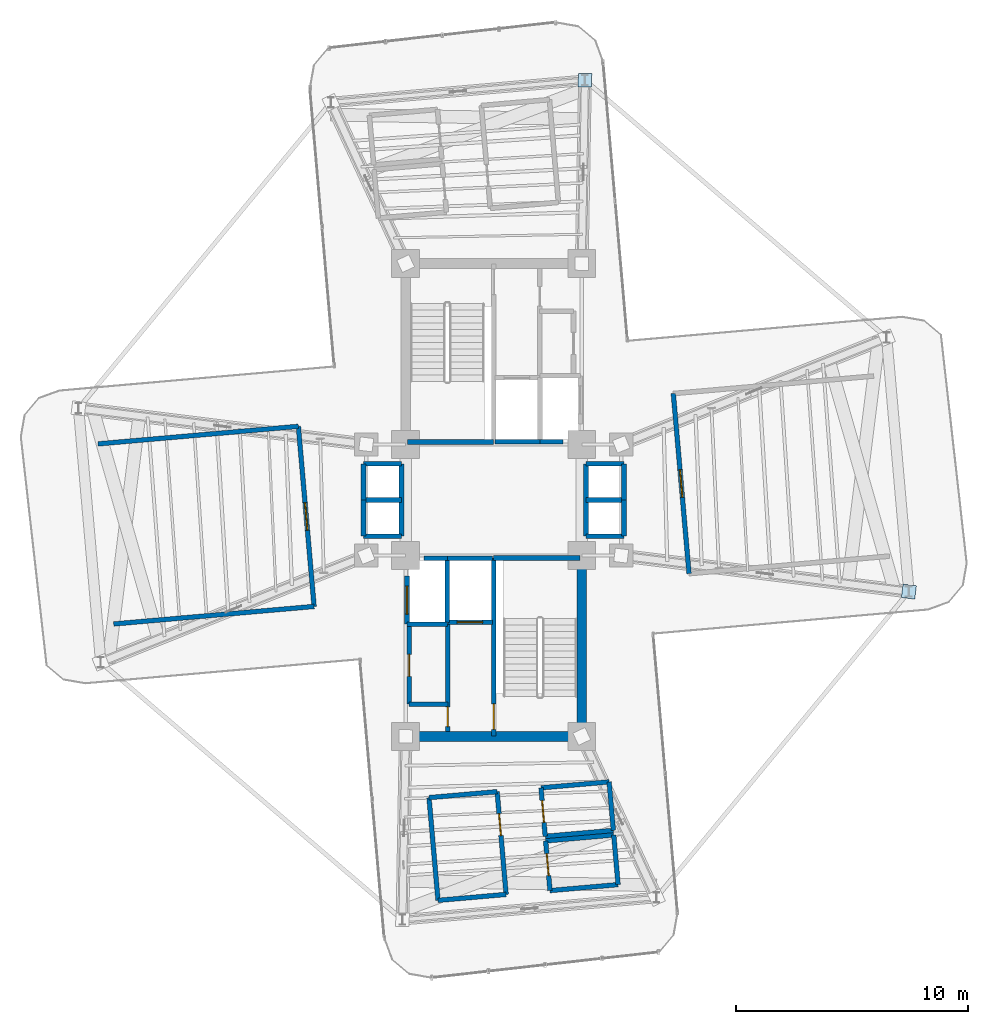
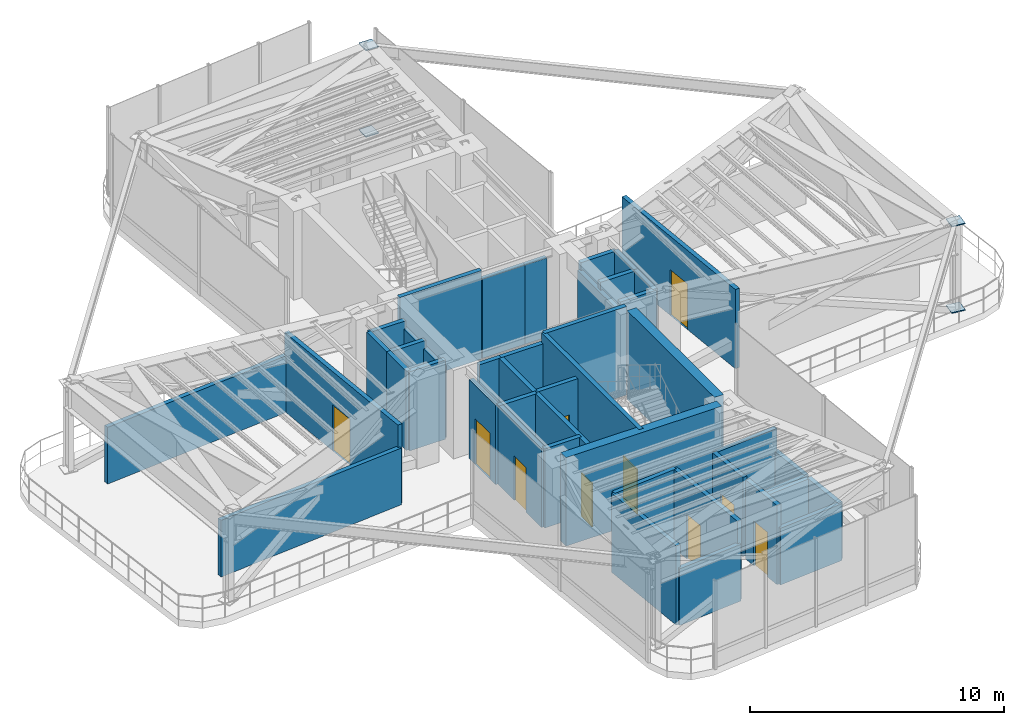
# One storey, part 14 of 17: 44 walls, 10 doors, 4 plates, 10 openings.
"""IFC4 building model written with IfcOpenShell, lengths in metres."""

from ifc_helpers import new_model, si_unit, direction, frame, frame_2d, origin, origin_2d, place, context, subcontext, project, spatial, rectangle, extrude, source, transform, mapped, material, layer, layer_set, type_object, element, fill, save


model = new_model("IFC4")

# Units and contexts
model_context = context("Model", 3, precision=1e-05, world=origin(), true_north=direction((0.0, 1.0)))
body_context = subcontext(model_context, "Body", "Model", "MODEL_VIEW")
ifc_project = project(units=[si_unit("LENGTHUNIT", "METRE"), si_unit("AREAUNIT", "SQUARE_METRE"), si_unit("VOLUMEUNIT", "CUBIC_METRE"), si_unit("PLANEANGLEUNIT", "RADIAN"), si_unit("MASSUNIT", "GRAM", prefix="KILO")], contexts=[model_context])

# Site, building, storey
site_placement = place(None, origin())
site = spatial("IfcSite", under=ifc_project, at=site_placement, CompositionType="ELEMENT")
building_placement = place(site_placement, origin())
building = spatial("IfcBuilding", under=site, at=building_placement, Name="Sahyath Konkavel Grand Hotel", CompositionType="ELEMENT")
storey_placement = place(building_placement, frame((0.0, 0.0, 202.0)))
storey = spatial("IfcBuildingStorey", under=building, at=storey_placement, Name="L56", CompositionType="ELEMENT", Elevation=202.0)

# Plates
ifc_material_1 = material(Name="Steel E450", Category="steel")
plate_type = type_object("IfcPlateType", Name="GUSSET-END-35", PredefinedType="USERDEFINED", material=ifc_material_1)
shared_shape_1 = source(origin(), body_context, "Body", "SweptSolid", [
    extrude(rectangle(XDim=0.580078125, YDim=0.580078125, at=origin_2d()), origin(), (0.0, 0.0, 1.0), 0.044921875),
])
for number, where, z_axis, x_axis, name in (
    (1, (17.912841796875, -3.953857421875, 0.027587890625), (0.0, 0.0, 1.0), (0.992256248897, -0.124207634727, 0.0), "L56 Core Outrigger Truss EA Cast-In Embed Gusset Plate BR"),
    (2, (17.912841796875, -3.953857421875, 4.1875), (0.0, 0.0, 1.0), (0.992256248897, -0.124207634727, 0.0), "L56 Core Outrigger Truss EA Cast-In Embed Gusset Plate TR"),
    (3, (3.936279296875, 18.112060546875, 0.027587890625), (0.0, 0.0, 1.0), (0.017242998444, 0.999851328451, 0.0), "L56 Core Outrigger Truss NA Cast-In Embed Gusset Plate BR"),
    (4, (3.936279296875, 18.112060546875, 4.1875), (0.0, 0.0, 1.0), (0.017242998444, 0.999851328451, 0.0), "L56 Core Outrigger Truss NA Cast-In Embed Gusset Plate TR"),
):
    element("IfcPlate", number, at=place(storey_placement, frame(where, z_axis=z_axis, x_axis=x_axis)), inside=storey, type_object=plate_type, Name=name, ObjectType="GUSSET_PLATE", PredefinedType="USERDEFINED", context=body_context, shape_type="MappedRepresentation", body=[
        mapped(shared_shape_1, transform((0.0, 0.0, 0.0), scale=1.0)),
    ])

# Walls
ifc_material_2 = material(Name="Concrete C50/60", Category="concrete")
ifc_layer_1 = layer(ifc_material_2, 0.419921875)
ifc_layer_set_1 = layer_set([ifc_layer_1], Name="Concrete C50/60")
wall_type_1 = type_object("IfcWallType", Name="CWALL-420", PredefinedType="SHEAR", material=ifc_layer_set_1)
wall_1_placement = place(storey_placement, frame((-3.550048828125, -10.199951171875, 0.0), z_axis=(0.0, 0.0, 1.0), x_axis=(1.0, 0.0, 0.0)))
element("IfcWall", 5, at=wall_1_placement, inside=storey, type_object=wall_type_1, Name="L56 South Core Shear Wall S", PredefinedType="SHEAR", context=body_context, shape_type="SweptSolid", body=[
    extrude(rectangle(XDim=7.10009765625, YDim=0.419921875, at=frame_2d((3.550048828125, 0.0))), origin(), (0.0, 0.0, 1.0), 4.260009765625),
])
wall_2_placement = place(storey_placement, frame((3.800048828125, -9.75, 0.0), z_axis=(0.0, 0.0, 1.0), x_axis=(0.0, 1.0, 0.0)))
element("IfcWall", 6, at=wall_2_placement, inside=storey, type_object=wall_type_1, Name="L56 South Core Shear Wall E", PredefinedType="SHEAR", context=body_context, shape_type="SweptSolid", body=[
    extrude(rectangle(XDim=6.89990234375, YDim=0.419921875, at=frame_2d((3.449951171875, 0.0))), origin(), (0.0, 0.0, 1.0), 4.260009765625),
])
ifc_material_3 = material(Name="Concrete C40/50", Category="concrete")
ifc_layer_2 = layer(ifc_material_3, 0.199951171875)
ifc_layer_set_2 = layer_set([ifc_layer_2], Name="Concrete C40/50")
wall_type_2 = type_object("IfcWallType", Name="WLL-CORE-200", PredefinedType="SOLIDWALL", material=ifc_layer_set_2)
wall_3_placement = place(storey_placement, frame((-3.719970703125, 2.5, 0.0), z_axis=(0.0, 0.0, 1.0), x_axis=(1.0, 0.0, 0.0)))
element("IfcWall", 7, at=wall_3_placement, inside=storey, type_object=wall_type_2, Name="L56 Stair ST-1 Shaft Wall S", PredefinedType="SOLIDWALL", context=body_context, shape_type="SweptSolid", body=[
    extrude(rectangle(XDim=3.719970703125, YDim=0.199951171875, at=frame_2d((1.85986328125, 0.0))), origin(), (0.0, 0.0, 1.0), 4.260009765625),
])

# Wall, opening, door
wall_4_placement = place(storey_placement, frame((0.0, -10.179931640625, 0.0), z_axis=(0.0, 0.0, 1.0), x_axis=(0.0, 1.0, 0.0)))
wall_4 = element("IfcWall", 8, at=wall_4_placement, inside=storey, type_object=wall_type_2, Name="L56 Stair ST-2 Shaft Wall W", PredefinedType="SOLIDWALL", context=body_context, shape_type="SweptSolid", body=[
    extrude(rectangle(XDim=7.679931640625, YDim=0.199951171875, at=frame_2d((3.83984375, 0.0))), origin(), (0.0, 0.0, 1.0), 4.260009765625),
])
opening_1_placement = place(wall_4_placement, frame((0.280029296875, 0.0, 0.0)))
opening_1 = element("IfcOpeningElement", 9, at=opening_1_placement, cuts=wall_4, Name="Opening D-F12B", PredefinedType="OPENING", context=body_context, shape_type="SweptSolid", body=[
    extrude(rectangle(XDim=1.10009765625, YDim=2.14990234375, at=frame_2d((0.550048828125, 1.074951171875))), frame((0.0, 0.10986328125, 0.0), z_axis=(0.0, -1.0, 0.0), x_axis=(1.0, 0.0, 0.0)), (0.0, 0.0, 1.0), 0.219970703125),
])
ifc_material_4 = material(Name="Steel E350 Smokeproof Fire Door", Category="steel")
door_type_1 = type_object("IfcDoorType", Name="DR-FD120-1100", OperationType="NOTDEFINED", PredefinedType="DOOR", material=ifc_material_4)
shared_shape_2 = source(origin(), body_context, "Body", "SweptSolid", [
    extrude(rectangle(XDim=1.10009765625, YDim=0.050048828125, at=origin_2d()), origin(), (0.0, 0.0, 1.0), 2.14990234375),
])
door_1_placement = place(opening_1_placement, frame((0.550048828125, 0.0, 0.0)))
door_1 = element("IfcDoor", 10, at=door_1_placement, inside=storey, type_object=door_type_1, Name="L56 Stair ST-2 Fire Door", OperationType="SINGLE_SWING_LEFT", OverallHeight=2.14990234375, OverallWidth=1.10009765625, PredefinedType="DOOR", context=body_context, shape_type="MappedRepresentation", body=[
    mapped(shared_shape_2, transform((0.0, 0.0, 0.0), scale=1.0)),
])
fill(opening_1, door_1)

# Wall
wall_5_placement = place(storey_placement, frame((0.0, -2.5, 0.0), z_axis=(0.0, 0.0, 1.0), x_axis=(1.0, 0.0, 0.0)))
element("IfcWall", 11, at=wall_5_placement, inside=storey, type_object=wall_type_2, Name="L56 Stair ST-2 Shaft Wall N", PredefinedType="SOLIDWALL", context=body_context, shape_type="SweptSolid", body=[
    extrude(rectangle(XDim=3.719970703125, YDim=0.199951171875, at=frame_2d((1.85986328125, 0.0))), origin(), (0.0, 0.0, 1.0), 4.260009765625),
])

# Wall, opening, door
wall_6_placement = place(storey_placement, frame((-1.97998046875, -9.97998046875, 0.0), z_axis=(0.0, 0.0, 1.0), x_axis=(0.0, 1.0, 0.0)))
wall_6 = element("IfcWall", 12, at=wall_6_placement, inside=storey, type_object=wall_type_2, Name="L56 South Firefighting Lobby Wall W", PredefinedType="SOLIDWALL", context=body_context, shape_type="SweptSolid", body=[
    extrude(rectangle(XDim=4.659912109375, YDim=0.199951171875, at=frame_2d((2.330078125, 0.0))), origin(), (0.0, 0.0, 1.0), 3.81005859375),
])
opening_2_placement = place(wall_6_placement, frame((0.199951171875, 0.0, 0.0)))
opening_2 = element("IfcOpeningElement", 13, at=opening_2_placement, cuts=wall_6, Name="Opening D-F12D", PredefinedType="OPENING", context=body_context, shape_type="SweptSolid", body=[
    extrude(rectangle(XDim=0.85009765625, YDim=2.10009765625, at=frame_2d((0.425048828125, 1.050048828125))), frame((0.0, 0.10986328125, 0.0), z_axis=(0.0, -1.0, 0.0), x_axis=(1.0, 0.0, 0.0)), (0.0, 0.0, 1.0), 0.219970703125),
])
ifc_material_5 = material(Name="Steel E350 Core Fire Door", Category="steel")
door_type_2 = type_object("IfcDoorType", Name="DR-FD120-850", OperationType="NOTDEFINED", PredefinedType="DOOR", material=ifc_material_5)
shared_shape_3 = source(origin(), body_context, "Body", "SweptSolid", [
    extrude(rectangle(XDim=0.85009765625, YDim=0.050048828125, at=origin_2d()), origin(), (0.0, 0.0, 1.0), 2.10009765625),
])
door_2_placement = place(opening_2_placement, frame((0.425048828125, 0.0, 0.0)))
door_2 = element("IfcDoor", 14, at=door_2_placement, inside=storey, type_object=door_type_2, Name="L56 South Firefighting Lobby Door", OperationType="SINGLE_SWING_LEFT", OverallHeight=2.10009765625, OverallWidth=0.85009765625, PredefinedType="DOOR", context=body_context, shape_type="MappedRepresentation", body=[
    mapped(shared_shape_3, transform((0.0, 0.0, 0.0), scale=1.0)),
])
fill(opening_2, door_2)

# Walls
wall_7_placement = place(storey_placement, frame((0.050048828125, 2.52001953125, 0.0), z_axis=(0.0, 0.0, 1.0), x_axis=(1.0, 0.0, 0.0)))
element("IfcWall", 15, at=wall_7_placement, inside=storey, type_object=wall_type_2, Name="L56 Partition SH-FFL1-S", PredefinedType="SOLIDWALL", context=body_context, shape_type="SweptSolid", body=[
    extrude(rectangle(XDim=1.949951171875, YDim=0.199951171875, at=frame_2d((0.97509765625, 0.0))), origin(), (0.0, 0.0, 1.0), 3.81005859375),
])
wall_8_placement = place(storey_placement, frame((-2.0, -5.280029296875, 0.0), z_axis=(0.0, 0.0, 1.0), x_axis=(0.0, 1.0, 0.0)))
element("IfcWall", 16, at=wall_8_placement, inside=storey, type_object=wall_type_2, Name="L56 Partition SH-FFL2-W", PredefinedType="SOLIDWALL", context=body_context, shape_type="SweptSolid", body=[
    extrude(rectangle(XDim=2.780029296875, YDim=0.199951171875, at=frame_2d((1.39013671875, 0.0))), origin(), (0.0, 0.0, 1.0), 3.81005859375),
])
wall_9_placement = place(storey_placement, frame((-2.0, -2.52001953125, 0.0), z_axis=(0.0, 0.0, 1.0), x_axis=(1.0, 0.0, 0.0)))
element("IfcWall", 17, at=wall_9_placement, inside=storey, type_object=wall_type_2, Name="L56 Partition SH-FFL2-N", PredefinedType="SOLIDWALL", context=body_context, shape_type="SweptSolid", body=[
    extrude(rectangle(XDim=1.949951171875, YDim=0.199951171875, at=frame_2d((0.97509765625, 0.0))), origin(), (0.0, 0.0, 1.0), 3.81005859375),
])

# Wall, opening, door
wall_10_placement = place(storey_placement, frame((-1.97998046875, -5.280029296875, 0.0), z_axis=(0.0, 0.0, 1.0), x_axis=(1.0, 0.0, 0.0)))
wall_10 = element("IfcWall", 18, at=wall_10_placement, inside=storey, type_object=wall_type_2, Name="L56 Partition SH-FFL2-S", PredefinedType="SOLIDWALL", context=body_context, shape_type="SweptSolid", body=[
    extrude(rectangle(XDim=1.929931640625, YDim=0.199951171875, at=frame_2d((0.96484375, 0.0))), origin(), (0.0, 0.0, 1.0), 3.81005859375),
])
opening_3_placement = place(wall_10_placement, frame((0.39990234375, 0.0, 0.0)))
opening_3 = element("IfcOpeningElement", 19, at=opening_3_placement, cuts=wall_10, Name="Opening LD-11", PredefinedType="OPENING", context=body_context, shape_type="SweptSolid", body=[
    extrude(rectangle(XDim=1.10009765625, YDim=2.199951171875, at=frame_2d((0.550048828125, 1.10009765625))), frame((0.0, 0.10986328125, 0.0), z_axis=(0.0, -1.0, 0.0), x_axis=(1.0, 0.0, 0.0)), (0.0, 0.0, 1.0), 0.219970703125),
])
ifc_material_6 = material(Name="Bronze Lift Landing Door 1100")
door_type_3 = type_object("IfcDoorType", Name="DR-LIFT-1100", OperationType="DOUBLE_DOOR_SLIDING", PredefinedType="DOOR", material=ifc_material_6)
shared_shape_4 = source(origin(), body_context, "Body", "SweptSolid", [
    extrude(rectangle(XDim=1.10009765625, YDim=0.050048828125, at=origin_2d()), origin(), (0.0, 0.0, 1.0), 2.199951171875),
])
door_3_placement = place(opening_3_placement, frame((0.550048828125, 0.0, 0.0)))
door_3 = element("IfcDoor", 20, at=door_3_placement, inside=storey, type_object=door_type_3, Name="L56 Lift FFL-2 Landing Door", OperationType="DOUBLE_DOOR_SLIDING", OverallHeight=2.199951171875, OverallWidth=1.10009765625, PredefinedType="DOOR", context=body_context, shape_type="MappedRepresentation", body=[
    mapped(shared_shape_4, transform((0.0, 0.0, 0.0), scale=1.0)),
])
fill(opening_3, door_3)

# Walls
for number, where, z_axis, x_axis, name in (
    (21, (2.0, 2.52001953125, 0.0), (0.0, 0.0, 1.0), (1.0, 0.0, 0.0), "L56 Partition SH-SVL1-S"),
    (22, (-3.0, -2.52001953125, 0.0), (0.0, 0.0, 1.0), (1.0, 0.0, 0.0), "L56 Partition SH-SVL2-N"),
):
    element("IfcWall", number, at=place(storey_placement, frame(where, z_axis=z_axis, x_axis=x_axis)), inside=storey, type_object=wall_type_2, Name=name, PredefinedType="SOLIDWALL", context=body_context, shape_type="SweptSolid", body=[
        extrude(rectangle(XDim=1.0, YDim=0.199951171875, at=frame_2d((0.5, 0.0))), origin(), (0.0, 0.0, 1.0), 3.81005859375),
    ])
wall_11_placement = place(storey_placement, frame((-3.739990234375, -5.360107421875, 0.0), z_axis=(0.0, 0.0, 1.0), x_axis=(1.0, 0.0, 0.0)))
element("IfcWall", 23, at=wall_11_placement, inside=storey, type_object=wall_type_2, Name="L56 Partition SH-SVL2-S", PredefinedType="SOLIDWALL", context=body_context, shape_type="SweptSolid", body=[
    extrude(rectangle(XDim=1.739990234375, YDim=0.199951171875, at=frame_2d((0.8701171875, 0.0))), origin(), (0.0, 0.0, 1.0), 3.81005859375),
])

# Wall, opening, door
wall_12_placement = place(storey_placement, frame((-3.739990234375, -5.360107421875, 0.0), z_axis=(0.0, 0.0, 1.0), x_axis=(0.0, 1.0, 0.0)))
wall_12 = element("IfcWall", 24, at=wall_12_placement, inside=storey, type_object=wall_type_2, Name="L56 Partition SH-SVL2-W", PredefinedType="SOLIDWALL", context=body_context, shape_type="SweptSolid", body=[
    extrude(rectangle(XDim=2.080078125, YDim=0.199951171875, at=frame_2d((1.0400390625, 0.0))), origin(), (0.0, 0.0, 1.0), 3.81005859375),
])
opening_4_placement = place(wall_12_placement, frame((0.43994140625, 0.0, 0.0)))
opening_4 = element("IfcOpeningElement", 25, at=opening_4_placement, cuts=wall_12, Name="Opening LD-12", PredefinedType="OPENING", context=body_context, shape_type="SweptSolid", body=[
    extrude(rectangle(XDim=1.199951171875, YDim=2.199951171875, at=frame_2d((0.60009765625, 1.10009765625))), frame((0.0, 0.10986328125, 0.0), z_axis=(0.0, -1.0, 0.0), x_axis=(1.0, 0.0, 0.0)), (0.0, 0.0, 1.0), 0.219970703125),
])
ifc_material_7 = material(Name="Stainless Steel Lift Landing Door 1200", Category="steel")
door_type_4 = type_object("IfcDoorType", Name="DR-LIFT-1200", OperationType="DOUBLE_DOOR_SLIDING", PredefinedType="DOOR", material=ifc_material_7)
shared_shape_5 = source(origin(), body_context, "Body", "SweptSolid", [
    extrude(rectangle(XDim=1.199951171875, YDim=0.050048828125, at=origin_2d()), origin(), (0.0, 0.0, 1.0), 2.199951171875),
])
door_4_placement = place(opening_4_placement, frame((0.60009765625, 0.0, 0.0)))
door_4 = element("IfcDoor", 26, at=door_4_placement, inside=storey, type_object=door_type_4, Name="L56 Service Lift SVL-2 Landing Door", OperationType="DOUBLE_DOOR_SLIDING", OverallHeight=2.199951171875, OverallWidth=1.199951171875, PredefinedType="DOOR", context=body_context, shape_type="MappedRepresentation", body=[
    mapped(shared_shape_5, transform((0.0, 0.0, 0.0), scale=1.0)),
])
fill(opening_4, door_4)

# Walls
wall_13_placement = place(storey_placement, frame((3.97998046875, -1.56005859375, 0.0), z_axis=(0.0, 0.0, 1.0), x_axis=(0.0, 1.0, 0.0)))
element("IfcWall", 27, at=wall_13_placement, inside=storey, type_object=wall_type_2, Name="L56 Partition SH-PL56-W", PredefinedType="SOLIDWALL", context=body_context, shape_type="SweptSolid", body=[
    extrude(rectangle(XDim=3.1201171875, YDim=0.199951171875, at=frame_2d((1.56005859375, 0.0))), origin(), (0.0, 0.0, 1.0), 3.429931640625),
])
for number, where, z_axis, x_axis, name in (
    (28, (3.97998046875, 1.56005859375, 0.0), (0.0, 0.0, 1.0), (1.0, 0.0, 0.0), "L56 Partition SH-PL56-N"),
    (29, (3.97998046875, -1.56005859375, 0.0), (0.0, 0.0, 1.0), (1.0, 0.0, 0.0), "L56 Partition SH-PL56-S"),
    (30, (3.97998046875, 0.0, 0.0), (0.0, 0.0, 1.0), (1.0, 0.0, 0.0), "L56 Partition SH-PL56-M"),
):
    element("IfcWall", number, at=place(storey_placement, frame(where, z_axis=z_axis, x_axis=x_axis)), inside=storey, type_object=wall_type_2, Name=name, PredefinedType="SOLIDWALL", context=body_context, shape_type="SweptSolid", body=[
        extrude(rectangle(XDim=1.64013671875, YDim=0.199951171875, at=frame_2d((0.820068359375, 0.0))), origin(), (0.0, 0.0, 1.0), 3.81005859375),
    ])
for number, where, z_axis, x_axis, name in (
    (31, (5.6201171875, 0.0, 0.0), (0.0, 0.0, 1.0), (0.0, 1.0, 0.0), "L56 Partition SH-PL5-E"),
    (32, (5.6201171875, -1.56005859375, 0.0), (0.0, 0.0, 1.0), (0.0, 1.0, 0.0), "L56 Partition SH-PL6-E"),
):
    element("IfcWall", number, at=place(storey_placement, frame(where, z_axis=z_axis, x_axis=x_axis)), inside=storey, type_object=wall_type_2, Name=name, PredefinedType="SOLIDWALL", context=body_context, shape_type="SweptSolid", body=[
        extrude(rectangle(XDim=1.56005859375, YDim=0.199951171875, at=frame_2d((0.780029296875, 0.0))), origin(), (0.0, 0.0, 1.0), 3.81005859375),
    ])
wall_14_placement = place(storey_placement, frame((-3.97998046875, -1.56005859375, 0.0), z_axis=(0.0, 0.0, 1.0), x_axis=(0.0, 1.0, 0.0)))
element("IfcWall", 33, at=wall_14_placement, inside=storey, type_object=wall_type_2, Name="L56 Partition SH-SL12-E", PredefinedType="SOLIDWALL", context=body_context, shape_type="SweptSolid", body=[
    extrude(rectangle(XDim=3.1201171875, YDim=0.199951171875, at=frame_2d((1.56005859375, 0.0))), origin(), (0.0, 0.0, 1.0), 3.429931640625),
])
for number, where, z_axis, x_axis, name in (
    (34, (-5.6201171875, 1.56005859375, 0.0), (0.0, 0.0, 1.0), (1.0, 0.0, 0.0), "L56 Partition SH-SL12-N"),
    (35, (-5.6201171875, -1.56005859375, 0.0), (0.0, 0.0, 1.0), (1.0, 0.0, 0.0), "L56 Partition SH-SL12-S"),
    (36, (-5.6201171875, 0.0, 0.0), (0.0, 0.0, 1.0), (1.0, 0.0, 0.0), "L56 Partition SH-SL12-M"),
):
    element("IfcWall", number, at=place(storey_placement, frame(where, z_axis=z_axis, x_axis=x_axis)), inside=storey, type_object=wall_type_2, Name=name, PredefinedType="SOLIDWALL", context=body_context, shape_type="SweptSolid", body=[
        extrude(rectangle(XDim=1.64013671875, YDim=0.199951171875, at=frame_2d((0.820068359375, 0.0))), origin(), (0.0, 0.0, 1.0), 3.81005859375),
    ])
for number, where, z_axis, x_axis, name in (
    (37, (-5.6201171875, 0.0, 0.0), (0.0, 0.0, 1.0), (0.0, 1.0, 0.0), "L56 Partition SH-SL1-W"),
    (38, (-5.6201171875, -1.56005859375, 0.0), (0.0, 0.0, 1.0), (0.0, 1.0, 0.0), "L56 Partition SH-SL2-W"),
):
    element("IfcWall", number, at=place(storey_placement, frame(where, z_axis=z_axis, x_axis=x_axis)), inside=storey, type_object=wall_type_2, Name=name, PredefinedType="SOLIDWALL", context=body_context, shape_type="SweptSolid", body=[
        extrude(rectangle(XDim=1.56005859375, YDim=0.199951171875, at=frame_2d((0.780029296875, 0.0))), origin(), (0.0, 0.0, 1.0), 3.81005859375),
    ])

# Wall, opening, door
wall_15_placement = place(storey_placement, frame((-3.64990234375, -8.81005859375, 0.0), z_axis=(0.0, 0.0, 1.0), x_axis=(0.0, 1.0, 0.0)))
wall_15 = element("IfcWall", 39, at=wall_15_placement, inside=storey, type_object=wall_type_2, Name="L56 Reclaimed South Core Wall W", PredefinedType="SOLIDWALL", context=body_context, shape_type="SweptSolid", body=[
    extrude(rectangle(XDim=3.43017578125, YDim=0.199951171875, at=frame_2d((1.715087890625, 0.0))), origin(), (0.0, 0.0, 1.0), 3.81005859375),
])
opening_5_placement = place(wall_15_placement, frame((1.199951171875, 0.0, 0.0)))
opening_5 = element("IfcOpeningElement", 40, at=opening_5_placement, cuts=wall_15, Name="Opening D-AC95", PredefinedType="OPENING", context=body_context, shape_type="SweptSolid", body=[
    extrude(rectangle(XDim=0.949951171875, YDim=2.14990234375, at=frame_2d((0.47509765625, 1.074951171875))), frame((0.0, 0.10986328125, 0.0), z_axis=(0.0, -1.0, 0.0), x_axis=(1.0, 0.0, 0.0)), (0.0, 0.0, 1.0), 0.219970703125),
])
ifc_material_8 = material(Name="Accessible Washroom Timber Door", Category="wood")
door_type_5 = type_object("IfcDoorType", Name="DR-ACC-950", OperationType="NOTDEFINED", PredefinedType="DOOR", material=ifc_material_8)
shared_shape_6 = source(origin(), body_context, "Body", "SweptSolid", [
    extrude(rectangle(XDim=0.949951171875, YDim=0.050048828125, at=origin_2d()), origin(), (0.0, 0.0, 1.0), 2.14990234375),
])
door_5_placement = place(opening_5_placement, frame((0.47509765625, 0.0, 0.0)))
door_5 = element("IfcDoor", 41, at=door_5_placement, inside=storey, type_object=door_type_5, Name="L56 Door SC-REC1-D", OperationType="SINGLE_SWING_LEFT", OverallHeight=2.14990234375, OverallWidth=0.949951171875, PredefinedType="DOOR", context=body_context, shape_type="MappedRepresentation", body=[
    mapped(shared_shape_6, transform((0.0, 0.0, 0.0), scale=1.0)),
])
fill(opening_5, door_5)

# Wall
wall_16_placement = place(storey_placement, frame((-3.64990234375, -8.81005859375, 0.0), z_axis=(0.0, 0.0, 1.0), x_axis=(1.0, 0.0, 0.0)))
element("IfcWall", 42, at=wall_16_placement, inside=storey, type_object=wall_type_2, Name="L56 Partition SC-REC-S", PredefinedType="SOLIDWALL", context=body_context, shape_type="SweptSolid", body=[
    extrude(rectangle(XDim=1.669921875, YDim=0.199951171875, at=frame_2d((0.8349609375, 0.0))), origin(), (0.0, 0.0, 1.0), 3.81005859375),
])

# Wall, opening, door
wall_17_placement = place(storey_placement, frame((8.428955078125, -3.177490234375, 0.0), z_axis=(0.0, 0.0, 1.0), x_axis=(-0.087137441767, 0.996196299051, 0.0)))
wall_17 = element("IfcWall", 43, at=wall_17_placement, inside=storey, type_object=wall_type_2, Name="L56 Partition REF-E-IN", PredefinedType="SOLIDWALL", context=body_context, shape_type="SweptSolid", body=[
    extrude(rectangle(XDim=7.80029296875, YDim=0.199951171875, at=frame_2d((3.900146484375, 0.0))), origin(), (0.0, 0.0, 1.0), 3.81005859375),
])
opening_6_placement = place(wall_17_placement, frame((3.300048828125, 0.0, 0.0)))
opening_6 = element("IfcOpeningElement", 44, at=opening_6_placement, cuts=wall_17, Name="Opening D-F12A", PredefinedType="OPENING", context=body_context, shape_type="SweptSolid", body=[
    extrude(rectangle(XDim=1.199951171875, YDim=2.199951171875, at=frame_2d((0.60009765625, 1.10009765625))), frame((0.0, 0.10986328125, 0.0), z_axis=(0.0, -1.0, 0.0), x_axis=(1.0, 0.0, 0.0)), (0.0, 0.0, 1.0), 0.219970703125),
])
ifc_material_9 = material(Name="Steel E350 Fire Door", Category="steel")
door_type_6 = type_object("IfcDoorType", Name="DR-FD120-1200", OperationType="NOTDEFINED", PredefinedType="DOOR", material=ifc_material_9)
door_6_placement = place(opening_6_placement, frame((0.60009765625, 0.0, 0.0)))
door_6 = element("IfcDoor", 45, at=door_6_placement, inside=storey, type_object=door_type_6, Name="L56 Door REF-E-D", OperationType="SINGLE_SWING_RIGHT", OverallHeight=2.199951171875, OverallWidth=1.199951171875, PredefinedType="DOOR", context=body_context, shape_type="MappedRepresentation", body=[
    mapped(shared_shape_5, transform((0.0, 0.0, 0.0), scale=1.0)),
])
fill(opening_6, door_6)

wall_18_placement = place(storey_placement, frame((-8.428955078125, 3.177490234375, 0.0), z_axis=(0.0, 0.0, 1.0), x_axis=(0.087137441767, -0.996196299051, 0.0)))
wall_18 = element("IfcWall", 46, at=wall_18_placement, inside=storey, type_object=wall_type_2, Name="L56 Partition REF-W-IN", PredefinedType="SOLIDWALL", context=body_context, shape_type="SweptSolid", body=[
    extrude(rectangle(XDim=7.80029296875, YDim=0.199951171875, at=frame_2d((3.900146484375, 0.0))), origin(), (0.0, 0.0, 1.0), 3.81005859375),
])
opening_7_placement = place(wall_18_placement, frame((3.300048828125, 0.0, 0.0)))
opening_7 = element("IfcOpeningElement", 47, at=opening_7_placement, cuts=wall_18, Name="Opening D-F12A", PredefinedType="OPENING", context=body_context, shape_type="SweptSolid", body=[
    extrude(rectangle(XDim=1.199951171875, YDim=2.199951171875, at=frame_2d((0.60009765625, 1.10009765625))), frame((0.0, 0.10986328125, 0.0), z_axis=(0.0, -1.0, 0.0), x_axis=(1.0, 0.0, 0.0)), (0.0, 0.0, 1.0), 0.219970703125),
])
door_7_placement = place(opening_7_placement, frame((0.60009765625, 0.0, 0.0)))
door_7 = element("IfcDoor", 48, at=door_7_placement, inside=storey, type_object=door_type_6, Name="L56 Door REF-W-D", OperationType="SINGLE_SWING_LEFT", OverallHeight=2.199951171875, OverallWidth=1.199951171875, PredefinedType="DOOR", context=body_context, shape_type="MappedRepresentation", body=[
    mapped(shared_shape_5, transform((0.0, 0.0, 0.0), scale=1.0)),
])
fill(opening_7, door_7)

# Walls
for number, where, z_axis, x_axis, name in (
    (49, (-7.749267578125, -4.593017578125, 0.0), (0.0, 0.0, 1.0), (-0.996196342623, -0.087136943629, 0.0), "L56 Partition REF-W-N"),
    (50, (-8.428955078125, 3.177490234375, 0.0), (0.0, 0.0, 1.0), (-0.996193900673, -0.087164856801, 0.0), "L56 Partition REF-W-S"),
):
    element("IfcWall", number, at=place(storey_placement, frame(where, z_axis=z_axis, x_axis=x_axis)), inside=storey, type_object=wall_type_2, Name=name, PredefinedType="SOLIDWALL", context=body_context, shape_type="SweptSolid", body=[
        extrude(rectangle(XDim=8.679931640625, YDim=0.199951171875, at=frame_2d((4.33984375, 0.0))), origin(), (0.0, 0.0, 1.0), 2.72998046875),
    ])

# Wall, opening, door
wall_19_placement = place(storey_placement, frame((2.040283203125, -12.41943359375, 0.0), z_axis=(0.0, 0.0, 1.0), x_axis=(0.08707609357, -0.996201663283, 0.0)))
wall_19 = element("IfcWall", 51, at=wall_19_placement, inside=storey, type_object=wall_type_2, Name="L56 Partition PL-CHL-C", PredefinedType="SOLIDWALL", context=body_context, shape_type="SweptSolid", body=[
    extrude(rectangle(XDim=2.10009765625, YDim=0.199951171875, at=frame_2d((1.050048828125, 0.0))), origin(), (0.0, 0.0, 1.0), 3.81005859375),
])
opening_8_placement = place(wall_19_placement, frame((0.550048828125, 0.0, 0.0)))
opening_8 = element("IfcOpeningElement", 52, at=opening_8_placement, cuts=wall_19, Name="Opening D-F12C", PredefinedType="OPENING", context=body_context, shape_type="SweptSolid", body=[
    extrude(rectangle(XDim=0.949951171875, YDim=2.14990234375, at=frame_2d((0.47509765625, 1.074951171875))), frame((0.0, 0.10986328125, 0.0), z_axis=(0.0, -1.0, 0.0), x_axis=(1.0, 0.0, 0.0)), (0.0, 0.0, 1.0), 0.219970703125),
])
ifc_material_10 = material(Name="Steel E350 Plant Fire Door", Category="steel")
door_type_7 = type_object("IfcDoorType", Name="DR-FD120-950", OperationType="NOTDEFINED", PredefinedType="DOOR", material=ifc_material_10)
door_8_placement = place(opening_8_placement, frame((0.47509765625, 0.0, 0.0)))
door_8 = element("IfcDoor", 53, at=door_8_placement, inside=storey, type_object=door_type_7, Name="L56 Door PL-CHL-D", OperationType="SINGLE_SWING_RIGHT", OverallHeight=2.14990234375, OverallWidth=0.949951171875, PredefinedType="DOOR", context=body_context, shape_type="MappedRepresentation", body=[
    mapped(shared_shape_6, transform((0.0, 0.0, 0.0), scale=1.0)),
])
fill(opening_8, door_8)

# Walls
wall_20_placement = place(storey_placement, frame((4.97900390625, -12.162353515625, 0.0), z_axis=(0.0, 0.0, 1.0), x_axis=(0.087191466799, -0.996191571997, 0.0)))
element("IfcWall", 54, at=wall_20_placement, inside=storey, type_object=wall_type_2, Name="L56 Partition PL-CHL-O", PredefinedType="SOLIDWALL", context=body_context, shape_type="SweptSolid", body=[
    extrude(rectangle(XDim=2.10009765625, YDim=0.199951171875, at=frame_2d((1.050048828125, 0.0))), origin(), (0.0, 0.0, 1.0), 2.72998046875),
])
wall_21_placement = place(storey_placement, frame((2.040283203125, -12.41943359375, 0.0), z_axis=(0.0, 0.0, 1.0), x_axis=(0.996195424117, 0.087147443848, 0.0)))
element("IfcWall", 55, at=wall_21_placement, inside=storey, type_object=wall_type_2, Name="L56 Partition PL-CHL-A", PredefinedType="SOLIDWALL", context=body_context, shape_type="SweptSolid", body=[
    extrude(rectangle(XDim=2.949951171875, YDim=0.199951171875, at=frame_2d((1.47509765625, 0.0))), origin(), (0.0, 0.0, 1.0), 3.81005859375),
])
wall_22_placement = place(storey_placement, frame((2.22314453125, -14.511474609375, 0.0), z_axis=(0.0, 0.0, 1.0), x_axis=(0.996196052583, 0.087140259459, 0.0)))
element("IfcWall", 56, at=wall_22_placement, inside=storey, type_object=wall_type_2, Name="L56 Partition PL-CHL-B", PredefinedType="SOLIDWALL", context=body_context, shape_type="SweptSolid", body=[
    extrude(rectangle(XDim=2.9501953125, YDim=0.199951171875, at=frame_2d((1.47509765625, 0.0))), origin(), (0.0, 0.0, 1.0), 2.72998046875),
])

# Wall, opening, door
wall_23_placement = place(storey_placement, frame((2.240478515625, -14.710693359375, 0.0), z_axis=(0.0, 0.0, 1.0), x_axis=(0.087207799987, -0.996190142303, 0.0)))
wall_23 = element("IfcWall", 57, at=wall_23_placement, inside=storey, type_object=wall_type_2, Name="L56 Partition PL-ELC-C", PredefinedType="SOLIDWALL", context=body_context, shape_type="SweptSolid", body=[
    extrude(rectangle(XDim=2.150146484375, YDim=0.199951171875, at=frame_2d((1.0751953125, 0.0))), origin(), (0.0, 0.0, 1.0), 3.81005859375),
])
opening_9_placement = place(wall_23_placement, frame((0.550048828125, 0.0, 0.0)))
opening_9 = element("IfcOpeningElement", 58, at=opening_9_placement, cuts=wall_23, Name="Opening D-F12C", PredefinedType="OPENING", context=body_context, shape_type="SweptSolid", body=[
    extrude(rectangle(XDim=0.949951171875, YDim=2.14990234375, at=frame_2d((0.47509765625, 1.074951171875))), frame((0.0, 0.10986328125, 0.0), z_axis=(0.0, -1.0, 0.0), x_axis=(1.0, 0.0, 0.0)), (0.0, 0.0, 1.0), 0.219970703125),
])
door_9_placement = place(opening_9_placement, frame((0.47509765625, 0.0, 0.0)))
door_9 = element("IfcDoor", 59, at=door_9_placement, inside=storey, type_object=door_type_7, Name="L56 Door PL-ELC-D", OperationType="SINGLE_SWING_LEFT", OverallHeight=2.14990234375, OverallWidth=0.949951171875, PredefinedType="DOOR", context=body_context, shape_type="MappedRepresentation", body=[
    mapped(shared_shape_6, transform((0.0, 0.0, 0.0), scale=1.0)),
])
fill(opening_9, door_9)

# Walls
wall_24_placement = place(storey_placement, frame((5.179443359375, -14.45361328125, 0.0), z_axis=(0.0, 0.0, 1.0), x_axis=(0.087095110076, -0.996200000904, 0.0)))
element("IfcWall", 60, at=wall_24_placement, inside=storey, type_object=wall_type_2, Name="L56 Partition PL-ELC-O", PredefinedType="SOLIDWALL", context=body_context, shape_type="SweptSolid", body=[
    extrude(rectangle(XDim=2.14990234375, YDim=0.199951171875, at=frame_2d((1.074951171875, 0.0))), origin(), (0.0, 0.0, 1.0), 2.72998046875),
])
wall_25_placement = place(storey_placement, frame((2.240478515625, -14.710693359375, 0.0), z_axis=(0.0, 0.0, 1.0), x_axis=(0.996196052583, 0.087140259459, 0.0)))
element("IfcWall", 61, at=wall_25_placement, inside=storey, type_object=wall_type_2, Name="L56 Partition PL-ELC-A", PredefinedType="SOLIDWALL", context=body_context, shape_type="SweptSolid", body=[
    extrude(rectangle(XDim=2.9501953125, YDim=0.199951171875, at=frame_2d((1.47509765625, 0.0))), origin(), (0.0, 0.0, 1.0), 2.72998046875),
])
wall_26_placement = place(storey_placement, frame((2.427978515625, -16.8525390625, 0.0), z_axis=(0.0, 0.0, 1.0), x_axis=(0.996195424117, 0.087147443848, 0.0)))
element("IfcWall", 62, at=wall_26_placement, inside=storey, type_object=wall_type_2, Name="L56 Partition PL-ELC-B", PredefinedType="SOLIDWALL", context=body_context, shape_type="SweptSolid", body=[
    extrude(rectangle(XDim=2.949951171875, YDim=0.199951171875, at=frame_2d((1.47509765625, 0.0))), origin(), (0.0, 0.0, 1.0), 2.72998046875),
])

# Wall, opening, door
wall_27_placement = place(storey_placement, frame((0.1474609375, -12.5849609375, 0.0), z_axis=(0.0, 0.0, 1.0), x_axis=(0.087176478262, -0.996192883752, 0.0)))
wall_27 = element("IfcWall", 63, at=wall_27_placement, inside=storey, type_object=wall_type_2, Name="L56 Partition PL-BMS-C", PredefinedType="SOLIDWALL", context=body_context, shape_type="SweptSolid", body=[
    extrude(rectangle(XDim=4.449951171875, YDim=0.199951171875, at=frame_2d((2.22509765625, 0.0))), origin(), (0.0, 0.0, 1.0), 3.81005859375),
])
opening_10_placement = place(wall_27_placement, frame((0.949951171875, 0.0, 0.0)))
opening_10 = element("IfcOpeningElement", 64, at=opening_10_placement, cuts=wall_27, Name="Opening D-F12C", PredefinedType="OPENING", context=body_context, shape_type="SweptSolid", body=[
    extrude(rectangle(XDim=0.949951171875, YDim=2.14990234375, at=frame_2d((0.47509765625, 1.074951171875))), frame((0.0, 0.10986328125, 0.0), z_axis=(0.0, -1.0, 0.0), x_axis=(1.0, 0.0, 0.0)), (0.0, 0.0, 1.0), 0.219970703125),
])
door_10_placement = place(opening_10_placement, frame((0.47509765625, 0.0, 0.0)))
door_10 = element("IfcDoor", 65, at=door_10_placement, inside=storey, type_object=door_type_7, Name="L56 Door PL-BMS-D", OperationType="SINGLE_SWING_LEFT", OverallHeight=2.14990234375, OverallWidth=0.949951171875, PredefinedType="DOOR", context=body_context, shape_type="MappedRepresentation", body=[
    mapped(shared_shape_6, transform((0.0, 0.0, 0.0), scale=1.0)),
])
fill(opening_10, door_10)

# Walls
wall_28_placement = place(storey_placement, frame((-2.79150390625, -12.84228515625, 0.0), z_axis=(0.0, 0.0, 1.0), x_axis=(0.087181243031, -0.996192466777, 0.0)))
element("IfcWall", 66, at=wall_28_placement, inside=storey, type_object=wall_type_2, Name="L56 Partition PL-BMS-O", PredefinedType="SOLIDWALL", context=body_context, shape_type="SweptSolid", body=[
    extrude(rectangle(XDim=4.44970703125, YDim=0.199951171875, at=frame_2d((2.224853515625, 0.0))), origin(), (0.0, 0.0, 1.0), 3.81005859375),
])
wall_29_placement = place(storey_placement, frame((-2.79150390625, -12.84228515625, 0.0), z_axis=(0.0, 0.0, 1.0), x_axis=(0.996188865451, 0.087222384465, 0.0)))
element("IfcWall", 67, at=wall_29_placement, inside=storey, type_object=wall_type_2, Name="L56 Partition PL-BMS-A", PredefinedType="SOLIDWALL", context=body_context, shape_type="SweptSolid", body=[
    extrude(rectangle(XDim=2.9501953125, YDim=0.199951171875, at=frame_2d((1.47509765625, 0.0))), origin(), (0.0, 0.0, 1.0), 3.81005859375),
])
wall_30_placement = place(storey_placement, frame((-2.403564453125, -17.275146484375, 0.0), z_axis=(0.0, 0.0, 1.0), x_axis=(0.996196052583, 0.087140259459, 0.0)))
element("IfcWall", 68, at=wall_30_placement, inside=storey, type_object=wall_type_2, Name="L56 Partition PL-BMS-B", PredefinedType="SOLIDWALL", context=body_context, shape_type="SweptSolid", body=[
    extrude(rectangle(XDim=2.9501953125, YDim=0.199951171875, at=frame_2d((1.47509765625, 0.0))), origin(), (0.0, 0.0, 1.0), 2.72998046875),
])

save(model, "model.ifc")
